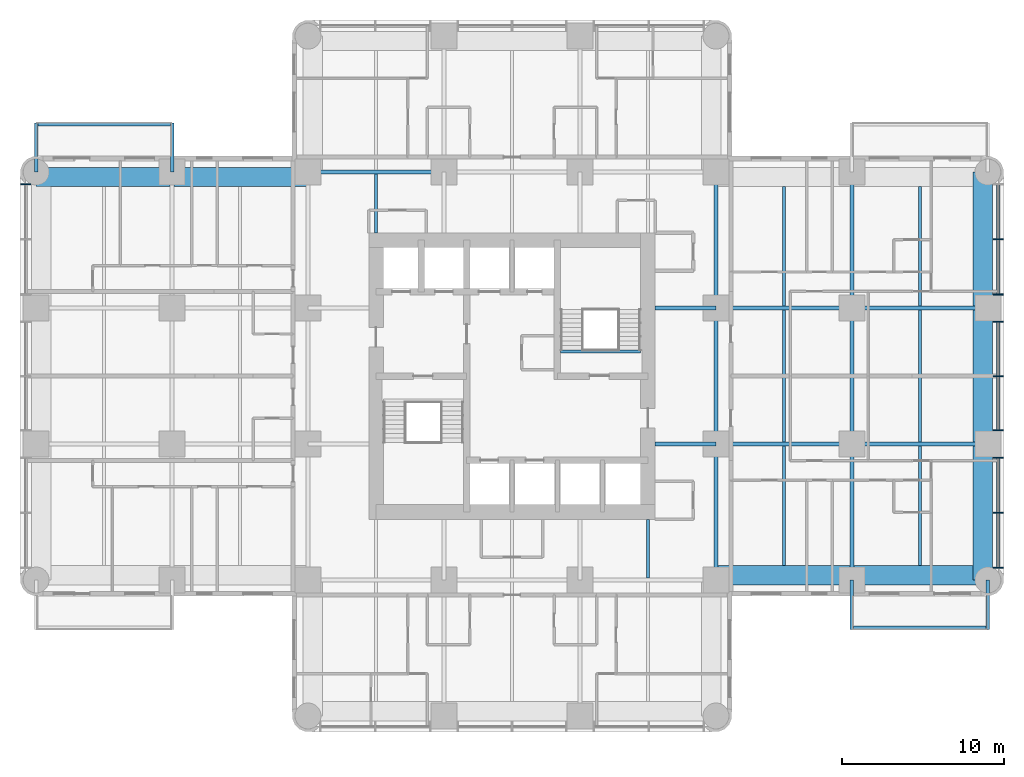
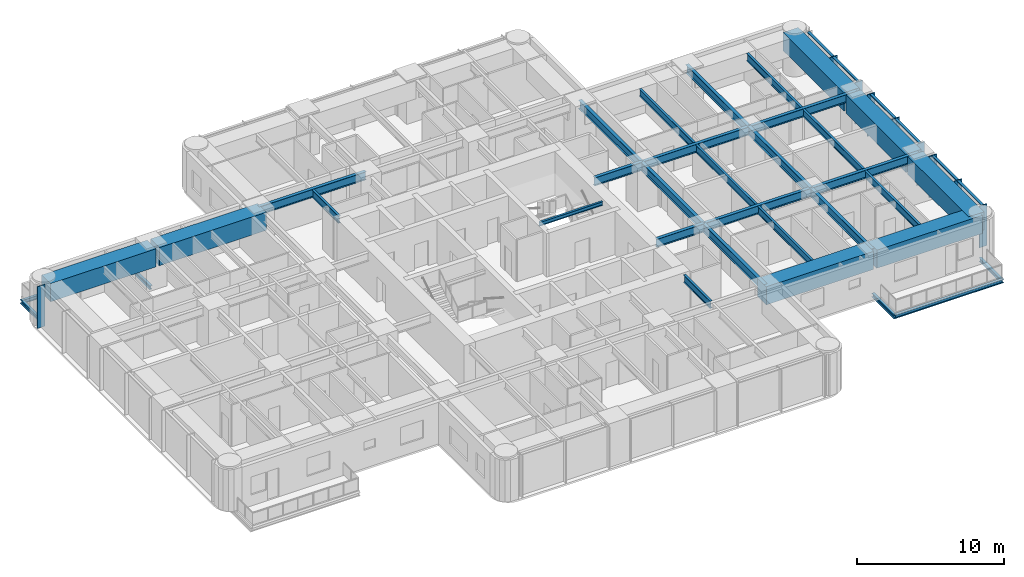
# One storey, part 3 of 14: 35 beams, 15 members, 2 elements without a shape of their own.
"""IFC4 building model written with IfcOpenShell, lengths in metres."""

from ifc_helpers import new_model, si_unit, direction, frame, origin, origin_2d, place, context, subcontext, project, spatial, rectangle, i_section, extrude, material, material_profile, profile_set, type_object, element, aggregate, save


model = new_model("IFC4")

# Units and contexts
model_context = context("Model", 3, precision=1e-05, world=origin(), true_north=direction((0.0, 1.0)))
body_context = subcontext(model_context, "Body", "Model", "MODEL_VIEW")
ifc_project = project(units=[si_unit("LENGTHUNIT", "METRE"), si_unit("AREAUNIT", "SQUARE_METRE"), si_unit("VOLUMEUNIT", "CUBIC_METRE"), si_unit("PLANEANGLEUNIT", "RADIAN"), si_unit("MASSUNIT", "GRAM", prefix="KILO")], contexts=[model_context])

# Site, building, storey
site_placement = place(None, origin())
site = spatial("IfcSite", under=ifc_project, at=site_placement, CompositionType="ELEMENT")
building_placement = place(site_placement, origin())
building = spatial("IfcBuilding", under=site, at=building_placement, Name="Torre Alcanfor", CompositionType="ELEMENT")
storey_placement = place(building_placement, frame((0.0, 0.0, 137.699951171875)))
storey = spatial("IfcBuildingStorey", under=building, at=storey_placement, Name="L35", CompositionType="ELEMENT", Elevation=137.699951171875)

# Beams
ifc_material_1 = material(Name="Steel ASTM A992 Grade 50", Category="steel")
ifc_material_profile_1 = material_profile(ifc_material_1, i_section(OverallWidth=0.205322265625, OverallDepth=0.309814453125, WebThickness=0.00927734375, FlangeThickness=0.016357421875, at=origin_2d()), Name="W12x50")
ifc_profile_set_1 = profile_set([ifc_material_profile_1], Name="Steel ASTM A992 Grade 50")
beam_type_1 = type_object("IfcBeamType", Name="Balcony cantilever beam W12x50", PredefinedType="BEAM", material=ifc_profile_set_1)
for number, where, z_axis, x_axis, name in (
    (1, (50.39990234375, 16.800048828125, -0.35498046875), (0.0, -1.0, 0.0), (1.0, 0.0, 0.0), "Balcony cantilever beam L35-E2 1"),
    (2, (58.800048828125, 16.800048828125, -0.35498046875), (0.0, -1.0, 0.0), (1.0, 0.0, 0.0), "Balcony cantilever beam L35-E2 2"),
    (3, (8.39990234375, 42.0, -0.35498046875), (0.0, 1.0, 0.0), (-1.0, 0.0, 0.0), "Balcony cantilever beam L35-W2 1"),
    (4, (0.0, 42.0, -0.35498046875), (0.0, 1.0, 0.0), (-1.0, 0.0, 0.0), "Balcony cantilever beam L35-W2 2"),
):
    element("IfcBeam", number, at=place(storey_placement, frame(where, z_axis=z_axis, x_axis=x_axis)), inside=storey, type_object=beam_type_1, Name=name, PredefinedType="BEAM", context=body_context, shape_type="SweptSolid", body=[
        extrude(i_section(OverallWidth=0.205322265625, OverallDepth=0.309814453125, WebThickness=0.00927734375, FlangeThickness=0.016357421875, at=origin_2d()), origin(), (0.0, 0.0, 1.0), 3.050048828125),
    ])
ifc_material_2 = material(Name="Steel ASTM A992 Grade 50", Category="steel")
ifc_material_profile_2 = material_profile(ifc_material_2, i_section(OverallWidth=0.203369140625, OverallDepth=0.30224609375, WebThickness=0.007568359375, FlangeThickness=0.01318359375, at=origin_2d()), Name="W12x40")
ifc_profile_set_2 = profile_set([ifc_material_profile_2], Name="Steel ASTM A992 Grade 50")
beam_type_2 = type_object("IfcBeamType", Name="Balcony edge trimmer W12x40", PredefinedType="BEAM", material=ifc_profile_set_2)
beam_1_placement = place(storey_placement, frame((50.39990234375, 13.851806640625, -0.35107421875), z_axis=(1.0, 0.0, 0.0), x_axis=(0.0, 1.0, 0.0)))
element("IfcBeam", 5, at=beam_1_placement, inside=storey, type_object=beam_type_2, Name="Balcony edge trimmer L35-E2", PredefinedType="BEAM", context=body_context, shape_type="SweptSolid", body=[
    extrude(i_section(OverallWidth=0.203369140625, OverallDepth=0.30224609375, WebThickness=0.007568359375, FlangeThickness=0.01318359375, at=origin_2d()), origin(), (0.0, 0.0, 1.0), 8.400146484375),
])
beam_2_placement = place(storey_placement, frame((8.39990234375, 44.9482421875, -0.35107421875), z_axis=(-1.0, 0.0, 0.0), x_axis=(0.0, -1.0, 0.0)))
element("IfcBeam", 6, at=beam_2_placement, inside=storey, type_object=beam_type_2, Name="Balcony edge trimmer L35-W2", PredefinedType="BEAM", context=body_context, shape_type="SweptSolid", body=[
    extrude(i_section(OverallWidth=0.203369140625, OverallDepth=0.30224609375, WebThickness=0.007568359375, FlangeThickness=0.01318359375, at=origin_2d()), origin(), (0.0, 0.0, 1.0), 8.39990234375),
])

# Curtain wall, member
ifc_material_3 = material(Name="Aluminium and glass", Category="aluminium")
curtain_wall_type = type_object("IfcCurtainWallType", Name="CW-A unitised apartment glazing with vertical FIN", PredefinedType="NOTDEFINED", material=ifc_material_3)
curtain_wall_1_placement = place(storey_placement, origin())
curtain_wall_1 = element("IfcCurtainWall", 7, at=curtain_wall_1_placement, inside=storey, type_object=curtain_wall_type, Name="Curtain wall CW-A L35 2", PredefinedType="NOTDEFINED")
ifc_material_4 = material(Name="Bronze anodised aluminium", Category="aluminium")
ifc_material_profile_3 = material_profile(ifc_material_4, rectangle(XDim=0.60009765625, YDim=0.06494140625, at=origin_2d()), Name="CW-A mullion 65x600")
ifc_profile_set_3 = profile_set([ifc_material_profile_3], Name="Bronze anodised aluminium")
member_type_1 = type_object("IfcMemberType", Name="CW-A mullion with vertical FIN 65x600", PredefinedType="MULLION", material=ifc_profile_set_3)
member_1_placement = place(storey_placement, frame((-0.64990234375, 41.24267578125, 0.0), z_axis=(0.0, 0.0, 1.0), x_axis=(1.0, 0.0, 0.0)))
member_1 = element("IfcMember", 8, at=member_1_placement, type_object=member_type_1, Name="CW-A mullion 1.1", PredefinedType="MULLION", context=body_context, shape_type="SweptSolid", body=[
    extrude(rectangle(XDim=0.60009765625, YDim=0.06494140625, at=origin_2d()), origin(), (0.0, 0.0, 1.0), 3.449951171875),
])
aggregate(curtain_wall_1, [member_1])

# Curtain wall, members
curtain_wall_2_placement = place(storey_placement, origin())
curtain_wall_2 = element("IfcCurtainWall", 9, at=curtain_wall_2_placement, inside=storey, type_object=curtain_wall_type, Name="Curtain wall CW-A L35 8", PredefinedType="NOTDEFINED")
member_2_placement = place(storey_placement, frame((59.449951171875, 17.557373046875, 0.0), z_axis=(0.0, 0.0, 1.0), x_axis=(-1.0, 0.0, 0.0)))
member_2 = element("IfcMember", 10, at=member_2_placement, type_object=member_type_1, Name="CW-A mullion 1.1", PredefinedType="MULLION", context=body_context, shape_type="SweptSolid", body=[
    extrude(rectangle(XDim=0.60009765625, YDim=0.06494140625, at=origin_2d()), origin(), (0.0, 0.0, 1.0), 3.449951171875),
])
member_3_placement = place(storey_placement, frame((59.449951171875, 20.9599609375, 0.0), z_axis=(0.0, 0.0, 1.0), x_axis=(-1.0, 0.0, 0.0)))
member_3 = element("IfcMember", 11, at=member_3_placement, type_object=member_type_1, Name="CW-A mullion 1.2", PredefinedType="MULLION", context=body_context, shape_type="SweptSolid", body=[
    extrude(rectangle(XDim=0.60009765625, YDim=0.06494140625, at=origin_2d()), origin(), (0.0, 0.0, 1.0), 3.449951171875),
])
member_4_placement = place(storey_placement, frame((59.449951171875, 24.362548828125, 0.0), z_axis=(0.0, 0.0, 1.0), x_axis=(-1.0, 0.0, 0.0)))
member_4 = element("IfcMember", 12, at=member_4_placement, type_object=member_type_1, Name="CW-A mullion 1.3", PredefinedType="MULLION", context=body_context, shape_type="SweptSolid", body=[
    extrude(rectangle(XDim=0.60009765625, YDim=0.06494140625, at=origin_2d()), origin(), (0.0, 0.0, 1.0), 3.449951171875),
])
member_5_placement = place(storey_placement, frame((59.449951171875, 26.03759765625, 0.0), z_axis=(0.0, 0.0, 1.0), x_axis=(-1.0, 0.0, 0.0)))
member_5 = element("IfcMember", 13, at=member_5_placement, type_object=member_type_1, Name="CW-A mullion 2.1", PredefinedType="MULLION", context=body_context, shape_type="SweptSolid", body=[
    extrude(rectangle(XDim=0.60009765625, YDim=0.06494140625, at=origin_2d()), origin(), (0.0, 0.0, 1.0), 3.449951171875),
])
member_6_placement = place(storey_placement, frame((59.449951171875, 29.39990234375, 0.0), z_axis=(0.0, 0.0, 1.0), x_axis=(-1.0, 0.0, 0.0)))
member_6 = element("IfcMember", 14, at=member_6_placement, type_object=member_type_1, Name="CW-A mullion 2.2", PredefinedType="MULLION", context=body_context, shape_type="SweptSolid", body=[
    extrude(rectangle(XDim=0.60009765625, YDim=0.06494140625, at=origin_2d()), origin(), (0.0, 0.0, 1.0), 3.449951171875),
])
member_7_placement = place(storey_placement, frame((59.449951171875, 32.762451171875, 0.0), z_axis=(0.0, 0.0, 1.0), x_axis=(-1.0, 0.0, 0.0)))
member_7 = element("IfcMember", 15, at=member_7_placement, type_object=member_type_1, Name="CW-A mullion 2.3", PredefinedType="MULLION", context=body_context, shape_type="SweptSolid", body=[
    extrude(rectangle(XDim=0.60009765625, YDim=0.06494140625, at=origin_2d()), origin(), (0.0, 0.0, 1.0), 3.449951171875),
])
member_8_placement = place(storey_placement, frame((59.449951171875, 34.4375, 0.0), z_axis=(0.0, 0.0, 1.0), x_axis=(-1.0, 0.0, 0.0)))
member_8 = element("IfcMember", 16, at=member_8_placement, type_object=member_type_1, Name="CW-A mullion 3.1", PredefinedType="MULLION", context=body_context, shape_type="SweptSolid", body=[
    extrude(rectangle(XDim=0.60009765625, YDim=0.06494140625, at=origin_2d()), origin(), (0.0, 0.0, 1.0), 3.449951171875),
])
member_9_placement = place(storey_placement, frame((59.449951171875, 37.840087890625, 0.0), z_axis=(0.0, 0.0, 1.0), x_axis=(-1.0, 0.0, 0.0)))
member_9 = element("IfcMember", 17, at=member_9_placement, type_object=member_type_1, Name="CW-A mullion 3.2", PredefinedType="MULLION", context=body_context, shape_type="SweptSolid", body=[
    extrude(rectangle(XDim=0.60009765625, YDim=0.06494140625, at=origin_2d()), origin(), (0.0, 0.0, 1.0), 3.449951171875),
])
ifc_material_5 = material(Name="Extruded aluminium", Category="aluminium")
ifc_material_profile_4 = material_profile(ifc_material_5, rectangle(XDim=0.199951171875, YDim=0.06494140625, at=origin_2d()), Name="CW-A transom 200x65")
ifc_profile_set_4 = profile_set([ifc_material_profile_4], Name="Extruded aluminium")
member_type_2 = type_object("IfcMemberType", Name="CW-A transom 65x200", PredefinedType="USERDEFINED", material=ifc_profile_set_4)
member_10_placement = place(storey_placement, frame((59.449951171875, 17.58984375, 3.41748046875), z_axis=(0.0, 1.0, 0.0), x_axis=(-1.0, 0.0, 0.0)))
member_10 = element("IfcMember", 18, at=member_10_placement, type_object=member_type_2, Name="CW-A transom 1.1.2", ObjectType="TRANSOM", PredefinedType="USERDEFINED", context=body_context, shape_type="SweptSolid", body=[
    extrude(rectangle(XDim=0.199951171875, YDim=0.06494140625, at=origin_2d()), origin(), (0.0, 0.0, 1.0), 3.337646484375),
])
member_11_placement = place(storey_placement, frame((59.449951171875, 20.992431640625, 3.41748046875), z_axis=(0.0, 1.0, 0.0), x_axis=(-1.0, 0.0, 0.0)))
member_11 = element("IfcMember", 19, at=member_11_placement, type_object=member_type_2, Name="CW-A transom 1.2.2", ObjectType="TRANSOM", PredefinedType="USERDEFINED", context=body_context, shape_type="SweptSolid", body=[
    extrude(rectangle(XDim=0.199951171875, YDim=0.06494140625, at=origin_2d()), origin(), (0.0, 0.0, 1.0), 3.337646484375),
])
member_12_placement = place(storey_placement, frame((59.449951171875, 26.070068359375, 3.41748046875), z_axis=(0.0, 1.0, 0.0), x_axis=(-1.0, 0.0, 0.0)))
member_12 = element("IfcMember", 20, at=member_12_placement, type_object=member_type_2, Name="CW-A transom 2.1.2", ObjectType="TRANSOM", PredefinedType="USERDEFINED", context=body_context, shape_type="SweptSolid", body=[
    extrude(rectangle(XDim=0.199951171875, YDim=0.06494140625, at=origin_2d()), origin(), (0.0, 0.0, 1.0), 3.29736328125),
])
member_13_placement = place(storey_placement, frame((59.449951171875, 29.4326171875, 3.41748046875), z_axis=(0.0, 1.0, 0.0), x_axis=(-1.0, 0.0, 0.0)))
member_13 = element("IfcMember", 21, at=member_13_placement, type_object=member_type_2, Name="CW-A transom 2.2.2", ObjectType="TRANSOM", PredefinedType="USERDEFINED", context=body_context, shape_type="SweptSolid", body=[
    extrude(rectangle(XDim=0.199951171875, YDim=0.06494140625, at=origin_2d()), origin(), (0.0, 0.0, 1.0), 3.29736328125),
])
member_14_placement = place(storey_placement, frame((59.449951171875, 34.469970703125, 3.41748046875), z_axis=(0.0, 1.0, 0.0), x_axis=(-1.0, 0.0, 0.0)))
member_14 = element("IfcMember", 22, at=member_14_placement, type_object=member_type_2, Name="CW-A transom 3.1.2", ObjectType="TRANSOM", PredefinedType="USERDEFINED", context=body_context, shape_type="SweptSolid", body=[
    extrude(rectangle(XDim=0.199951171875, YDim=0.06494140625, at=origin_2d()), origin(), (0.0, 0.0, 1.0), 3.337646484375),
])
member_15_placement = place(storey_placement, frame((59.449951171875, 37.87255859375, 3.41748046875), z_axis=(0.0, 1.0, 0.0), x_axis=(-1.0, 0.0, 0.0)))
member_15 = element("IfcMember", 23, at=member_15_placement, type_object=member_type_2, Name="CW-A transom 3.2.2", ObjectType="TRANSOM", PredefinedType="USERDEFINED", context=body_context, shape_type="SweptSolid", body=[
    extrude(rectangle(XDim=0.199951171875, YDim=0.06494140625, at=origin_2d()), origin(), (0.0, 0.0, 1.0), 3.337646484375),
])
aggregate(curtain_wall_2, [member_2, member_3, member_4, member_10, member_11, member_5, member_6, member_7, member_12, member_13, member_8, member_9, member_14, member_15])

# Beams
ifc_material_6 = material(Name="Steel ASTM A992 Grade 50", Category="steel")
ifc_material_profile_5 = material_profile(ifc_material_6, i_section(OverallWidth=0.25390625, OverallDepth=0.683349609375, WebThickness=0.012451171875, FlangeThickness=0.01904296875, at=origin_2d()), Name="W27x94")
ifc_profile_set_5 = profile_set([ifc_material_profile_5], Name="Steel ASTM A992 Grade 50")
beam_type_3 = type_object("IfcBeamType", Name="Girder W27x94", PredefinedType="BEAM", material=ifc_profile_set_5)
beam_3_placement = place(storey_placement, frame((42.0, 25.199951171875, 3.1083984375), z_axis=(1.0, 0.0, 0.0), x_axis=(0.0, 1.0, 0.0)))
element("IfcBeam", 24, at=beam_3_placement, inside=storey, type_object=beam_type_3, Name="Beam 6F-7F under L36", PredefinedType="BEAM", context=body_context, shape_type="SweptSolid", body=[
    extrude(i_section(OverallWidth=0.25390625, OverallDepth=0.683349609375, WebThickness=0.012451171875, FlangeThickness=0.01904296875, at=origin_2d()), origin(), (0.0, 0.0, 1.0), 8.39990234375),
])
beam_4_placement = place(storey_placement, frame((50.39990234375, 25.199951171875, 3.1083984375), z_axis=(1.0, 0.0, 0.0), x_axis=(0.0, 1.0, 0.0)))
element("IfcBeam", 25, at=beam_4_placement, inside=storey, type_object=beam_type_3, Name="Beam 7F-8F under L36", PredefinedType="BEAM", context=body_context, shape_type="SweptSolid", body=[
    extrude(i_section(OverallWidth=0.25390625, OverallDepth=0.683349609375, WebThickness=0.012451171875, FlangeThickness=0.01904296875, at=origin_2d()), origin(), (0.0, 0.0, 1.0), 8.400146484375),
])
beam_5_placement = place(storey_placement, frame((42.0, 33.60009765625, 3.1083984375), z_axis=(1.0, 0.0, 0.0), x_axis=(0.0, 1.0, 0.0)))
element("IfcBeam", 26, at=beam_5_placement, inside=storey, type_object=beam_type_3, Name="Beam 6G-7G under L36", PredefinedType="BEAM", context=body_context, shape_type="SweptSolid", body=[
    extrude(i_section(OverallWidth=0.25390625, OverallDepth=0.683349609375, WebThickness=0.012451171875, FlangeThickness=0.01904296875, at=origin_2d()), origin(), (0.0, 0.0, 1.0), 8.39990234375),
])
beam_6_placement = place(storey_placement, frame((50.39990234375, 33.60009765625, 3.1083984375), z_axis=(1.0, 0.0, 0.0), x_axis=(0.0, 1.0, 0.0)))
element("IfcBeam", 27, at=beam_6_placement, inside=storey, type_object=beam_type_3, Name="Beam 7G-8G under L36", PredefinedType="BEAM", context=body_context, shape_type="SweptSolid", body=[
    extrude(i_section(OverallWidth=0.25390625, OverallDepth=0.683349609375, WebThickness=0.012451171875, FlangeThickness=0.01904296875, at=origin_2d()), origin(), (0.0, 0.0, 1.0), 8.400146484375),
])
for number, where, z_axis, x_axis, name in (
    (28, (16.800048828125, 42.0, 3.1083984375), (1.0, 0.0, 0.0), (0.0, 1.0, 0.0), "Beam 3H-4H under L36"),
    (29, (42.0, 16.800048828125, 3.1083984375), (0.0, 1.0, 0.0), (-1.0, 0.0, 0.0), "Beam 6E-6F under L36"),
):
    element("IfcBeam", number, at=place(storey_placement, frame(where, z_axis=z_axis, x_axis=x_axis)), inside=storey, type_object=beam_type_3, Name=name, PredefinedType="BEAM", context=body_context, shape_type="SweptSolid", body=[
        extrude(i_section(OverallWidth=0.25390625, OverallDepth=0.683349609375, WebThickness=0.012451171875, FlangeThickness=0.01904296875, at=origin_2d()), origin(), (0.0, 0.0, 1.0), 8.39990234375),
    ])
beam_7_placement = place(storey_placement, frame((42.0, 25.199951171875, 3.1083984375), z_axis=(0.0, 1.0, 0.0), x_axis=(-1.0, 0.0, 0.0)))
element("IfcBeam", 30, at=beam_7_placement, inside=storey, type_object=beam_type_3, Name="Beam 6F-6G under L36", PredefinedType="BEAM", context=body_context, shape_type="SweptSolid", body=[
    extrude(i_section(OverallWidth=0.25390625, OverallDepth=0.683349609375, WebThickness=0.012451171875, FlangeThickness=0.01904296875, at=origin_2d()), origin(), (0.0, 0.0, 1.0), 8.400146484375),
])
for number, where, z_axis, x_axis, name in (
    (31, (42.0, 33.60009765625, 3.1083984375), (0.0, 1.0, 0.0), (-1.0, 0.0, 0.0), "Beam 6G-6H under L36"),
    (32, (50.39990234375, 16.800048828125, 3.1083984375), (0.0, 1.0, 0.0), (-1.0, 0.0, 0.0), "Beam 7E-7F under L36"),
):
    element("IfcBeam", number, at=place(storey_placement, frame(where, z_axis=z_axis, x_axis=x_axis)), inside=storey, type_object=beam_type_3, Name=name, PredefinedType="BEAM", context=body_context, shape_type="SweptSolid", body=[
        extrude(i_section(OverallWidth=0.25390625, OverallDepth=0.683349609375, WebThickness=0.012451171875, FlangeThickness=0.01904296875, at=origin_2d()), origin(), (0.0, 0.0, 1.0), 8.39990234375),
    ])
beam_8_placement = place(storey_placement, frame((50.39990234375, 25.199951171875, 3.1083984375), z_axis=(0.0, 1.0, 0.0), x_axis=(-1.0, 0.0, 0.0)))
element("IfcBeam", 33, at=beam_8_placement, inside=storey, type_object=beam_type_3, Name="Beam 7F-7G under L36", PredefinedType="BEAM", context=body_context, shape_type="SweptSolid", body=[
    extrude(i_section(OverallWidth=0.25390625, OverallDepth=0.683349609375, WebThickness=0.012451171875, FlangeThickness=0.01904296875, at=origin_2d()), origin(), (0.0, 0.0, 1.0), 8.400146484375),
])
beam_9_placement = place(storey_placement, frame((50.39990234375, 33.60009765625, 3.1083984375), z_axis=(0.0, 1.0, 0.0), x_axis=(-1.0, 0.0, 0.0)))
element("IfcBeam", 34, at=beam_9_placement, inside=storey, type_object=beam_type_3, Name="Beam 7G-7H under L36", PredefinedType="BEAM", context=body_context, shape_type="SweptSolid", body=[
    extrude(i_section(OverallWidth=0.25390625, OverallDepth=0.683349609375, WebThickness=0.012451171875, FlangeThickness=0.01904296875, at=origin_2d()), origin(), (0.0, 0.0, 1.0), 8.39990234375),
])
ifc_material_7 = material(Name="Steel ASTM A992 Grade 50", Category="steel")
ifc_material_profile_6 = material_profile(ifc_material_7, i_section(OverallWidth=0.25390625, OverallDepth=0.683349609375, WebThickness=0.012451171875, FlangeThickness=0.01904296875, at=origin_2d()), Name="W27x94")
ifc_profile_set_6 = profile_set([ifc_material_profile_6], Name="Steel ASTM A992 Grade 50")
beam_type_4 = type_object("IfcBeamType", Name="Girder, part bay W27x94", PredefinedType="BEAM", material=ifc_profile_set_6)
for number, where, z_axis, x_axis, name in (
    (35, (42.0, 25.199951171875, 3.1083984375), (-1.0, 0.0, 0.0), (0.0, -1.0, 0.0), "Beam 6F-38_25F under L36"),
    (36, (42.0, 33.60009765625, 3.1083984375), (-1.0, 0.0, 0.0), (0.0, -1.0, 0.0), "Beam 6G-38_25G under L36"),
):
    element("IfcBeam", number, at=place(storey_placement, frame(where, z_axis=z_axis, x_axis=x_axis)), inside=storey, type_object=beam_type_4, Name=name, PredefinedType="BEAM", context=body_context, shape_type="SweptSolid", body=[
        extrude(i_section(OverallWidth=0.25390625, OverallDepth=0.683349609375, WebThickness=0.012451171875, FlangeThickness=0.01904296875, at=origin_2d()), origin(), (0.0, 0.0, 1.0), 3.75),
    ])
ifc_material_8 = material(Name="Concrete f'c 70 MPa", Category="concrete")
ifc_material_profile_7 = material_profile(ifc_material_8, rectangle(XDim=1.199951171875, YDim=1.5, at=origin_2d()), Name="1200x1500")
ifc_profile_set_7 = profile_set([ifc_material_profile_7], Name="Concrete f'c 70 MPa")
beam_type_5 = type_object("IfcBeamType", Name="RC perimeter beam 1200x1500", PredefinedType="BEAM", material=ifc_profile_set_7)
beam_10_placement = place(storey_placement, frame((41.873046875, 17.10009765625, 2.699951171875), z_axis=(1.0, 0.0, 0.0), x_axis=(0.0, 1.0, 0.0)))
element("IfcBeam", 37, at=beam_10_placement, inside=storey, type_object=beam_type_5, Name="Beam 6E-7E under L36", PredefinedType="BEAM", context=body_context, shape_type="SweptSolid", body=[
    extrude(rectangle(XDim=1.199951171875, YDim=1.5, at=origin_2d()), origin(), (0.0, 0.0, 1.0), 8.39990234375),
])
for number, where, z_axis, x_axis, name in (
    (38, (50.527099609375, 17.10009765625, 2.699951171875), (1.0, 0.0, 0.0), (0.0, 1.0, 0.0), "Beam 7E-8E under L36"),
    (39, (0.0, 41.699951171875, 2.699951171875), (1.0, 0.0, 0.0), (0.0, 1.0, 0.0), "Beam 1H-2H under L36"),
):
    element("IfcBeam", number, at=place(storey_placement, frame(where, z_axis=z_axis, x_axis=x_axis)), inside=storey, type_object=beam_type_5, Name=name, PredefinedType="BEAM", context=body_context, shape_type="SweptSolid", body=[
        extrude(rectangle(XDim=1.199951171875, YDim=1.5, at=origin_2d()), origin(), (0.0, 0.0, 1.0), 8.27294921875),
    ])
beam_11_placement = place(storey_placement, frame((8.527099609375, 41.699951171875, 2.699951171875), z_axis=(1.0, 0.0, 0.0), x_axis=(0.0, 1.0, 0.0)))
element("IfcBeam", 40, at=beam_11_placement, inside=storey, type_object=beam_type_5, Name="Beam 2H-3H under L36", PredefinedType="BEAM", context=body_context, shape_type="SweptSolid", body=[
    extrude(rectangle(XDim=1.199951171875, YDim=1.5, at=origin_2d()), origin(), (0.0, 0.0, 1.0), 8.39990234375),
])
beam_12_placement = place(storey_placement, frame((58.5, 16.800048828125, 2.699951171875), z_axis=(0.0, 1.0, 0.0), x_axis=(-1.0, 0.0, 0.0)))
element("IfcBeam", 41, at=beam_12_placement, inside=storey, type_object=beam_type_5, Name="Beam 8E-8F under L36", PredefinedType="BEAM", context=body_context, shape_type="SweptSolid", body=[
    extrude(rectangle(XDim=1.199951171875, YDim=1.5, at=origin_2d()), origin(), (0.0, 0.0, 1.0), 8.27294921875),
])
beam_13_placement = place(storey_placement, frame((58.5, 25.326904296875, 2.699951171875), z_axis=(0.0, 1.0, 0.0), x_axis=(-1.0, 0.0, 0.0)))
element("IfcBeam", 42, at=beam_13_placement, inside=storey, type_object=beam_type_5, Name="Beam 8F-8G under L36", PredefinedType="BEAM", context=body_context, shape_type="SweptSolid", body=[
    extrude(rectangle(XDim=1.199951171875, YDim=1.5, at=origin_2d()), origin(), (0.0, 0.0, 1.0), 8.14599609375),
])
beam_14_placement = place(storey_placement, frame((58.5, 33.72705078125, 2.699951171875), z_axis=(0.0, 1.0, 0.0), x_axis=(-1.0, 0.0, 0.0)))
element("IfcBeam", 43, at=beam_14_placement, inside=storey, type_object=beam_type_5, Name="Beam 8G-8H under L36", PredefinedType="BEAM", context=body_context, shape_type="SweptSolid", body=[
    extrude(rectangle(XDim=1.199951171875, YDim=1.5, at=origin_2d()), origin(), (0.0, 0.0, 1.0), 8.27294921875),
])
ifc_material_9 = material(Name="Steel ASTM A992 Grade 50", Category="steel")
ifc_material_profile_8 = material_profile(ifc_material_9, i_section(OverallWidth=0.1787109375, OverallDepth=0.60205078125, WebThickness=0.010986328125, FlangeThickness=0.014892578125, at=origin_2d()), Name="W24x62")
ifc_profile_set_8 = profile_set([ifc_material_profile_8], Name="Steel ASTM A992 Grade 50")
beam_type_6 = type_object("IfcBeamType", Name="Secondary beam W24x62", PredefinedType="BEAM", material=ifc_profile_set_8)
beam_15_placement = place(storey_placement, frame((46.199951171875, 17.699951171875, 3.149169921875), z_axis=(0.0, 1.0, 0.0), x_axis=(-1.0, 0.0, 0.0)))
element("IfcBeam", 44, at=beam_15_placement, inside=storey, type_object=beam_type_6, Name="Beam 46_2E-46_2F under L36", PredefinedType="BEAM", context=body_context, shape_type="SweptSolid", body=[
    extrude(i_section(OverallWidth=0.1787109375, OverallDepth=0.60205078125, WebThickness=0.010986328125, FlangeThickness=0.014892578125, at=origin_2d()), origin(), (0.0, 0.0, 1.0), 7.373046875),
])
beam_16_placement = place(storey_placement, frame((46.199951171875, 25.326904296875, 3.149169921875), z_axis=(0.0, 1.0, 0.0), x_axis=(-1.0, 0.0, 0.0)))
element("IfcBeam", 45, at=beam_16_placement, inside=storey, type_object=beam_type_6, Name="Beam 46_2F-46_2G under L36", PredefinedType="BEAM", context=body_context, shape_type="SweptSolid", body=[
    extrude(i_section(OverallWidth=0.1787109375, OverallDepth=0.60205078125, WebThickness=0.010986328125, FlangeThickness=0.014892578125, at=origin_2d()), origin(), (0.0, 0.0, 1.0), 8.14599609375),
])
for number, where, z_axis, x_axis, name in (
    (46, (46.199951171875, 33.72705078125, 3.149169921875), (0.0, 1.0, 0.0), (-1.0, 0.0, 0.0), "Beam 46_2G-46_2H under L36"),
    (47, (54.60009765625, 17.699951171875, 3.149169921875), (0.0, 1.0, 0.0), (-1.0, 0.0, 0.0), "Beam 54_6E-54_6F under L36"),
):
    element("IfcBeam", number, at=place(storey_placement, frame(where, z_axis=z_axis, x_axis=x_axis)), inside=storey, type_object=beam_type_6, Name=name, PredefinedType="BEAM", context=body_context, shape_type="SweptSolid", body=[
        extrude(i_section(OverallWidth=0.1787109375, OverallDepth=0.60205078125, WebThickness=0.010986328125, FlangeThickness=0.014892578125, at=origin_2d()), origin(), (0.0, 0.0, 1.0), 7.373046875),
    ])
beam_17_placement = place(storey_placement, frame((54.60009765625, 25.326904296875, 3.149169921875), z_axis=(0.0, 1.0, 0.0), x_axis=(-1.0, 0.0, 0.0)))
element("IfcBeam", 48, at=beam_17_placement, inside=storey, type_object=beam_type_6, Name="Beam 54_6F-54_6G under L36", PredefinedType="BEAM", context=body_context, shape_type="SweptSolid", body=[
    extrude(i_section(OverallWidth=0.1787109375, OverallDepth=0.60205078125, WebThickness=0.010986328125, FlangeThickness=0.014892578125, at=origin_2d()), origin(), (0.0, 0.0, 1.0), 8.14599609375),
])
beam_18_placement = place(storey_placement, frame((54.60009765625, 33.72705078125, 3.149169921875), z_axis=(0.0, 1.0, 0.0), x_axis=(-1.0, 0.0, 0.0)))
element("IfcBeam", 49, at=beam_18_placement, inside=storey, type_object=beam_type_6, Name="Beam 54_6G-54_6H under L36", PredefinedType="BEAM", context=body_context, shape_type="SweptSolid", body=[
    extrude(i_section(OverallWidth=0.1787109375, OverallDepth=0.60205078125, WebThickness=0.010986328125, FlangeThickness=0.014892578125, at=origin_2d()), origin(), (0.0, 0.0, 1.0), 7.373046875),
])
ifc_material_10 = material(Name="Steel ASTM A992 Grade 50", Category="steel")
ifc_material_profile_9 = material_profile(ifc_material_10, i_section(OverallWidth=0.1787109375, OverallDepth=0.60205078125, WebThickness=0.010986328125, FlangeThickness=0.014892578125, at=origin_2d()), Name="W24x62")
ifc_profile_set_9 = profile_set([ifc_material_profile_9], Name="Steel ASTM A992 Grade 50")
beam_type_7 = type_object("IfcBeamType", Name="Secondary beam, part bay W24x62", PredefinedType="BEAM", material=ifc_profile_set_9)
for number, where, z_axis, x_axis, name in (
    (50, (21.0, 38.25, 3.149169921875), (0.0, 1.0, 0.0), (-1.0, 0.0, 0.0), "Beam 2138_25-21H under L36"),
    (51, (37.800048828125, 16.927001953125, 3.149169921875), (0.0, 1.0, 0.0), (-1.0, 0.0, 0.0), "Beam 37_8E-37_820_55 under L36"),
):
    element("IfcBeam", number, at=place(storey_placement, frame(where, z_axis=z_axis, x_axis=x_axis)), inside=storey, type_object=beam_type_7, Name=name, PredefinedType="BEAM", context=body_context, shape_type="SweptSolid", body=[
        extrude(i_section(OverallWidth=0.1787109375, OverallDepth=0.60205078125, WebThickness=0.010986328125, FlangeThickness=0.014892578125, at=origin_2d()), origin(), (0.0, 0.0, 1.0), 3.623046875),
    ])
ifc_material_11 = material(Name="Steel ASTM A992 Grade 50", Category="steel")
ifc_material_profile_10 = material_profile(ifc_material_11, i_section(OverallWidth=0.164794921875, OverallDepth=0.309814453125, WebThickness=0.005859375, FlangeThickness=0.009765625, at=origin_2d()), Name="W12x26")
ifc_profile_set_10 = profile_set([ifc_material_profile_10], Name="Steel ASTM A992 Grade 50")
beam_type_8 = type_object("IfcBeamType", Name="Stair landing beam W12x26", PredefinedType="BEAM", material=ifc_profile_set_10)
beam_19_placement = place(storey_placement, frame((32.39990234375, 30.91259765625, 3.2451171875), z_axis=(1.0, 0.0, 0.0), x_axis=(0.0, 1.0, 0.0)))
element("IfcBeam", 52, at=beam_19_placement, inside=storey, type_object=beam_type_8, Name="Landing trimmer S2 L36", PredefinedType="BEAM", context=body_context, shape_type="SweptSolid", body=[
    extrude(i_section(OverallWidth=0.164794921875, OverallDepth=0.309814453125, WebThickness=0.005859375, FlangeThickness=0.009765625, at=origin_2d()), origin(), (0.0, 0.0, 1.0), 4.9501953125),
])

save(model, "model.ifc")
